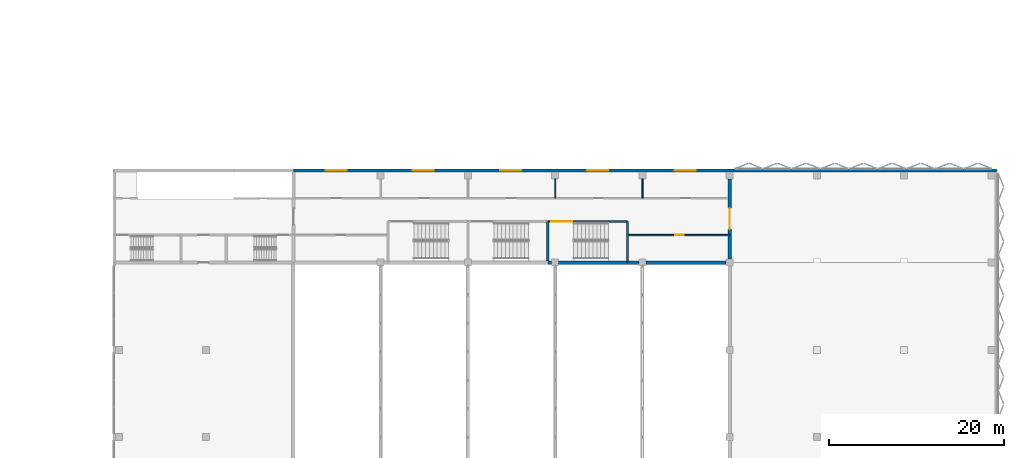
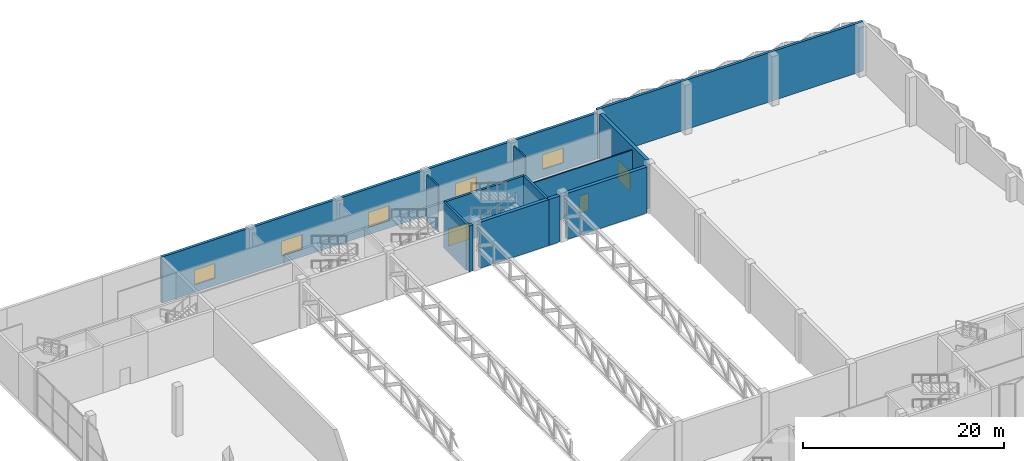
# One storey, part 35 of 51: 13 walls, 5 windows, 3 doors, 8 openings.
"""IFC4 building model written with IfcOpenShell, lengths in metres."""

from ifc_helpers import new_model, si_unit, direction, frame, frame_2d, origin, place, context, subcontext, project, spatial, rectangle, extrude, material, layer, layer_set, type_object, element, fill, save


model = new_model("IFC4")

# Units and contexts
model_context = context("Model", 3, precision=1e-05, world=origin(), true_north=direction((0.0, 1.0)))
body_context = subcontext(model_context, "Body", "Model", "MODEL_VIEW")
ifc_project = project(units=[si_unit("LENGTHUNIT", "METRE"), si_unit("AREAUNIT", "SQUARE_METRE"), si_unit("VOLUMEUNIT", "CUBIC_METRE"), si_unit("PLANEANGLEUNIT", "RADIAN"), si_unit("MASSUNIT", "GRAM", prefix="KILO")], contexts=[model_context])

# Site, building, storey
site_placement = place(None, origin())
site = spatial("IfcSite", under=ifc_project, at=site_placement, CompositionType="ELEMENT")
building_placement = place(site_placement, origin())
building = spatial("IfcBuilding", under=site, at=building_placement, Name="Jabali Bay Hotel Tower and Convention Centre", CompositionType="ELEMENT")
storey_placement = place(building_placement, frame((0.0, 0.0, 9.0)))
storey = spatial("IfcBuildingStorey", under=building, at=storey_placement, Name="L01", CompositionType="ELEMENT", Elevation=9.0)

# Wall
ifc_material_1 = material(Name="Concrete C40", Category="concrete")
ifc_layer_1 = layer(ifc_material_1, 0.300048828125)
ifc_layer_set_1 = layer_set([ifc_layer_1], Name="Concrete C40")
wall_type_1 = type_object("IfcWallType", Name="CC External Wall 300", PredefinedType="SOLIDWALL", material=ifc_layer_set_1)
wall_1_placement = place(storey_placement, frame((220.699951171875, 110.550048828125, 0.0), z_axis=(0.0, 0.0, 1.0), x_axis=(1.0, 0.0, 0.0)))
element("IfcWall", 1, at=wall_1_placement, inside=storey, type_object=wall_type_1, Name="CC plenary stage external wall", PredefinedType="SOLIDWALL", context=body_context, shape_type="SweptSolid", body=[
    extrude(rectangle(XDim=30.550048828125, YDim=0.300048828125, at=frame_2d((15.27490234375, 0.0))), origin(), (0.0, 0.0, 1.0), 6.0),
])

# Wall, openings, windows
wall_2_placement = place(storey_placement, frame((170.699951171875, 110.550048828125, 0.0), z_axis=(0.0, 0.0, 1.0), x_axis=(1.0, 0.0, 0.0)))
wall_2 = element("IfcWall", 2, at=wall_2_placement, inside=storey, type_object=wall_type_1, Name="CC wall 285", PredefinedType="SOLIDWALL", context=body_context, shape_type="SweptSolid", body=[
    extrude(rectangle(XDim=50.0, YDim=0.300048828125, at=frame_2d((25.0, 0.0))), origin(), (0.0, 0.0, 1.0), 5.590087890625),
])
opening_1_placement = place(wall_2_placement, frame((3.699951171875, 0.0, 0.89990234375)))
opening_1 = element("IfcOpeningElement", 3, at=opening_1_placement, cuts=wall_2, Name="Opening CC-W023", PredefinedType="OPENING", context=body_context, shape_type="SweptSolid", body=[
    extrude(rectangle(XDim=2.39990234375, YDim=1.800048828125, at=frame_2d((1.199951171875, 0.89990234375))), frame((0.0, 0.16064453125, 0.0), z_axis=(0.0, -1.0, 0.0), x_axis=(1.0, 0.0, 0.0)), (0.0, 0.0, 1.0), 0.321044921875),
])
opening_2_placement = place(wall_2_placement, frame((13.699951171875, 0.0, 0.89990234375)))
opening_2 = element("IfcOpeningElement", 4, at=opening_2_placement, cuts=wall_2, Name="Opening CC-W024", PredefinedType="OPENING", context=body_context, shape_type="SweptSolid", body=[
    extrude(rectangle(XDim=2.39990234375, YDim=1.800048828125, at=frame_2d((1.199951171875, 0.89990234375))), frame((0.0, 0.16064453125, 0.0), z_axis=(0.0, -1.0, 0.0), x_axis=(1.0, 0.0, 0.0)), (0.0, 0.0, 1.0), 0.321044921875),
])
opening_3_placement = place(wall_2_placement, frame((23.699951171875, 0.0, 0.89990234375)))
opening_3 = element("IfcOpeningElement", 5, at=opening_3_placement, cuts=wall_2, Name="Opening CC-W025", PredefinedType="OPENING", context=body_context, shape_type="SweptSolid", body=[
    extrude(rectangle(XDim=2.39990234375, YDim=1.800048828125, at=frame_2d((1.199951171875, 0.89990234375))), frame((0.0, 0.16064453125, 0.0), z_axis=(0.0, -1.0, 0.0), x_axis=(1.0, 0.0, 0.0)), (0.0, 0.0, 1.0), 0.321044921875),
])
opening_4_placement = place(wall_2_placement, frame((33.699951171875, 0.0, 0.89990234375)))
opening_4 = element("IfcOpeningElement", 6, at=opening_4_placement, cuts=wall_2, Name="Opening CC-W026", PredefinedType="OPENING", context=body_context, shape_type="SweptSolid", body=[
    extrude(rectangle(XDim=2.39990234375, YDim=1.800048828125, at=frame_2d((1.199951171875, 0.89990234375))), frame((0.0, 0.16064453125, 0.0), z_axis=(0.0, -1.0, 0.0), x_axis=(1.0, 0.0, 0.0)), (0.0, 0.0, 1.0), 0.321044921875),
])
opening_5_placement = place(wall_2_placement, frame((43.699951171875, 0.0, 0.89990234375)))
opening_5 = element("IfcOpeningElement", 7, at=opening_5_placement, cuts=wall_2, Name="Opening CC-W027", PredefinedType="OPENING", context=body_context, shape_type="SweptSolid", body=[
    extrude(rectangle(XDim=2.39990234375, YDim=1.800048828125, at=frame_2d((1.199951171875, 0.89990234375))), frame((0.0, 0.16064453125, 0.0), z_axis=(0.0, -1.0, 0.0), x_axis=(1.0, 0.0, 0.0)), (0.0, 0.0, 1.0), 0.321044921875),
])
ifc_material_2 = material(Name="Aluminium 6063-T5 and glass", Category="aluminium")
window_type = type_object("IfcWindowType", Name="CC Window 2400x1800", PartitioningType="DOUBLE_PANEL_VERTICAL", PredefinedType="WINDOW", material=ifc_material_2)
window_1_placement = place(opening_1_placement, origin())
window_1 = element("IfcWindow", 8, at=window_1_placement, inside=storey, type_object=window_type, Name="CC window CC-W023", OverallHeight=1.800048828125, OverallWidth=2.39990234375, PartitioningType="DOUBLE_PANEL_VERTICAL", PredefinedType="WINDOW", context=body_context, shape_type="SweptSolid", body=[
    extrude(rectangle(XDim=2.39990234375, YDim=1.800048828125, at=frame_2d((1.199951171875, 0.89990234375))), frame((0.0, 0.030029296875, 0.0), z_axis=(0.0, -1.0, 0.0), x_axis=(1.0, 0.0, 0.0)), (0.0, 0.0, 1.0), 0.06005859375),
])
fill(opening_1, window_1)
window_2_placement = place(opening_2_placement, origin())
window_2 = element("IfcWindow", 9, at=window_2_placement, inside=storey, type_object=window_type, Name="CC window CC-W024", OverallHeight=1.800048828125, OverallWidth=2.39990234375, PartitioningType="DOUBLE_PANEL_VERTICAL", PredefinedType="WINDOW", context=body_context, shape_type="SweptSolid", body=[
    extrude(rectangle(XDim=2.39990234375, YDim=1.800048828125, at=frame_2d((1.199951171875, 0.89990234375))), frame((0.0, 0.030029296875, 0.0), z_axis=(0.0, -1.0, 0.0), x_axis=(1.0, 0.0, 0.0)), (0.0, 0.0, 1.0), 0.06005859375),
])
fill(opening_2, window_2)
window_3_placement = place(opening_3_placement, origin())
window_3 = element("IfcWindow", 10, at=window_3_placement, inside=storey, type_object=window_type, Name="CC window CC-W025", OverallHeight=1.800048828125, OverallWidth=2.39990234375, PartitioningType="DOUBLE_PANEL_VERTICAL", PredefinedType="WINDOW", context=body_context, shape_type="SweptSolid", body=[
    extrude(rectangle(XDim=2.39990234375, YDim=1.800048828125, at=frame_2d((1.199951171875, 0.89990234375))), frame((0.0, 0.030029296875, 0.0), z_axis=(0.0, -1.0, 0.0), x_axis=(1.0, 0.0, 0.0)), (0.0, 0.0, 1.0), 0.06005859375),
])
fill(opening_3, window_3)
window_4_placement = place(opening_4_placement, origin())
window_4 = element("IfcWindow", 11, at=window_4_placement, inside=storey, type_object=window_type, Name="CC window CC-W026", OverallHeight=1.800048828125, OverallWidth=2.39990234375, PartitioningType="DOUBLE_PANEL_VERTICAL", PredefinedType="WINDOW", context=body_context, shape_type="SweptSolid", body=[
    extrude(rectangle(XDim=2.39990234375, YDim=1.800048828125, at=frame_2d((1.199951171875, 0.89990234375))), frame((0.0, 0.030029296875, 0.0), z_axis=(0.0, -1.0, 0.0), x_axis=(1.0, 0.0, 0.0)), (0.0, 0.0, 1.0), 0.06005859375),
])
fill(opening_4, window_4)
window_5_placement = place(opening_5_placement, origin())
window_5 = element("IfcWindow", 12, at=window_5_placement, inside=storey, type_object=window_type, Name="CC window CC-W027", OverallHeight=1.800048828125, OverallWidth=2.39990234375, PartitioningType="DOUBLE_PANEL_VERTICAL", PredefinedType="WINDOW", context=body_context, shape_type="SweptSolid", body=[
    extrude(rectangle(XDim=2.39990234375, YDim=1.800048828125, at=frame_2d((1.199951171875, 0.89990234375))), frame((0.0, 0.030029296875, 0.0), z_axis=(0.0, -1.0, 0.0), x_axis=(1.0, 0.0, 0.0)), (0.0, 0.0, 1.0), 0.06005859375),
])
fill(opening_5, window_5)

# Walls
ifc_layer_2 = layer(ifc_material_1, 0.39990234375)
ifc_layer_set_2 = layer_set([ifc_layer_2], Name="Concrete C40")
wall_type_2 = type_object("IfcWallType", Name="CC Hall Wall 400", PredefinedType="SHEAR", material=ifc_layer_set_2)
wall_3_placement = place(storey_placement, frame((199.85009765625, 100.0, 0.0), z_axis=(0.0, 0.0, 1.0), x_axis=(1.0, 0.0, 0.0)))
element("IfcWall", 13, at=wall_3_placement, inside=storey, type_object=wall_type_2, Name="CC exhibition hall wall", PredefinedType="SHEAR", context=body_context, shape_type="SweptSolid", body=[
    extrude(rectangle(XDim=0.449951171875, YDim=0.39990234375, at=frame_2d((0.22509765625, 0.0))), origin(), (0.0, 0.0, 1.0), 5.590087890625),
])
wall_4_placement = place(storey_placement, frame((201.10009765625, 100.0, 0.0), z_axis=(0.0, 0.0, 1.0), x_axis=(1.0, 0.0, 0.0)))
element("IfcWall", 14, at=wall_4_placement, inside=storey, type_object=wall_type_2, Name="CC exhibition hall wall", PredefinedType="SHEAR", context=body_context, shape_type="SweptSolid", body=[
    extrude(rectangle(XDim=7.89990234375, YDim=0.39990234375, at=frame_2d((3.949951171875, 0.0))), origin(), (0.0, 0.0, 1.0), 5.590087890625),
])
wall_5_placement = place(storey_placement, frame((209.0, 100.0, 0.0), z_axis=(0.0, 0.0, 1.0), x_axis=(1.0, 0.0, 0.0)))
element("IfcWall", 15, at=wall_5_placement, inside=storey, type_object=wall_type_2, Name="CC exhibition hall wall", PredefinedType="SHEAR", context=body_context, shape_type="SweptSolid", body=[
    extrude(rectangle(XDim=1.300048828125, YDim=0.39990234375, at=frame_2d((0.64990234375, 0.0))), origin(), (0.0, 0.0, 1.0), 5.590087890625),
])
wall_6_placement = place(storey_placement, frame((211.10009765625, 100.0, 0.0), z_axis=(0.0, 0.0, 1.0), x_axis=(1.0, 0.0, 0.0)))
element("IfcWall", 16, at=wall_6_placement, inside=storey, type_object=wall_type_2, Name="CC exhibition hall wall", PredefinedType="SHEAR", context=body_context, shape_type="SweptSolid", body=[
    extrude(rectangle(XDim=9.199951171875, YDim=0.39990234375, at=frame_2d((4.60009765625, 0.0))), origin(), (0.0, 0.0, 1.0), 5.590087890625),
])

# Wall, opening, door
wall_7_placement = place(storey_placement, frame((220.699951171875, 100.39990234375, 0.0), z_axis=(0.0, 0.0, 1.0), x_axis=(0.0, 1.0, 0.0)))
wall_7 = element("IfcWall", 17, at=wall_7_placement, inside=storey, type_object=wall_type_2, Name="CC plenary stage wall", PredefinedType="SHEAR", context=body_context, shape_type="SweptSolid", body=[
    extrude(rectangle(XDim=9.2001953125, YDim=0.39990234375, at=frame_2d((4.60009765625, 0.0))), origin(), (0.0, 0.0, 1.0), 6.0),
])
opening_6_placement = place(wall_7_placement, frame((3.449951171875, 0.0, 0.0)))
opening_6 = element("IfcOpeningElement", 18, at=opening_6_placement, cuts=wall_7, Name="Opening CC-D102", PredefinedType="OPENING", context=body_context, shape_type="SweptSolid", body=[
    extrude(rectangle(XDim=2.39990234375, YDim=2.39990234375, at=frame_2d((1.199951171875, 1.199951171875))), frame((0.0, 0.21044921875, 0.0), z_axis=(0.0, -1.0, 0.0), x_axis=(1.0, 0.0, 0.0)), (0.0, 0.0, 1.0), 0.4208984375),
])
ifc_material_3 = material(Name="Timber and steel door set", Category="steel")
door_type_1 = type_object("IfcDoorType", Name="CC Hall Double Door 2400x2400", OperationType="NOTDEFINED", PredefinedType="DOOR", material=ifc_material_3)
door_1_placement = place(opening_6_placement, origin())
door_1 = element("IfcDoor", 19, at=door_1_placement, inside=storey, type_object=door_type_1, Name="CC door CC-D102", OperationType="DOUBLE_DOOR_SINGLE_SWING", OverallHeight=2.39990234375, OverallWidth=2.39990234375, PredefinedType="DOOR", context=body_context, shape_type="SweptSolid", body=[
    extrude(rectangle(XDim=2.39990234375, YDim=2.39990234375, at=frame_2d((1.199951171875, 1.199951171875))), frame((0.0, 0.02490234375, 0.0), z_axis=(0.0, -1.0, 0.0), x_axis=(1.0, 0.0, 0.0)), (0.0, 0.0, 1.0), 0.050048828125),
])
fill(opening_6, door_1)

ifc_material_4 = material(Name="Blockwork M10", Category="masonry")
ifc_layer_3 = layer(ifc_material_4, 0.14990234375)
ifc_layer_set_3 = layer_set([ifc_layer_3], Name="Blockwork M10")
wall_type_3 = type_object("IfcWallType", Name="CC Partition 150", PredefinedType="PARTITIONING", material=ifc_layer_set_3)
wall_8_placement = place(storey_placement, frame((209.0, 103.14990234375, 0.0), z_axis=(0.0, 0.0, 1.0), x_axis=(1.0, 0.0, 0.0)))
wall_8 = element("IfcWall", 20, at=wall_8_placement, inside=storey, type_object=wall_type_3, Name="CC wall 406", PredefinedType="PARTITIONING", context=body_context, shape_type="SweptSolid", body=[
    extrude(rectangle(XDim=11.699951171875, YDim=0.14990234375, at=frame_2d((5.85009765625, 0.0))), origin(), (0.0, 0.0, 1.0), 5.590087890625),
])
opening_7_placement = place(wall_8_placement, frame((5.449951171875, 0.0, 0.0)))
opening_7 = element("IfcOpeningElement", 21, at=opening_7_placement, cuts=wall_8, Name="Opening CC-D104", PredefinedType="OPENING", context=body_context, shape_type="SweptSolid", body=[
    extrude(rectangle(XDim=1.0, YDim=2.10009765625, at=frame_2d((0.5, 1.050048828125))), frame((0.0, 0.08544921875, 0.0), z_axis=(0.0, -1.0, 0.0), x_axis=(1.0, 0.0, 0.0)), (0.0, 0.0, 1.0), 0.1708984375),
])
door_type_2 = type_object("IfcDoorType", Name="CC Single Door 1000x2100", OperationType="NOTDEFINED", PredefinedType="DOOR", material=ifc_material_3)
door_2_placement = place(opening_7_placement, origin())
door_2 = element("IfcDoor", 22, at=door_2_placement, inside=storey, type_object=door_type_2, Name="CC door CC-D104", OperationType="SINGLE_SWING_RIGHT", OverallHeight=2.10009765625, OverallWidth=1.0, PredefinedType="DOOR", context=body_context, shape_type="SweptSolid", body=[
    extrude(rectangle(XDim=1.0, YDim=2.10009765625, at=frame_2d((0.5, 1.050048828125))), frame((0.0, 0.02490234375, 0.0), z_axis=(0.0, -1.0, 0.0), x_axis=(1.0, 0.0, 0.0)), (0.0, 0.0, 1.0), 0.050048828125),
])
fill(opening_7, door_2)

# Walls
for number, where, z_axis, x_axis, name in (
    (23, (200.699951171875, 107.375, 0.0), (0.0, 0.0, 1.0), (0.0, 1.0, 0.0), "CC wall 410"),
    (24, (210.699951171875, 107.375, 0.0), (0.0, 0.0, 1.0), (0.0, 1.0, 0.0), "CC wall 411"),
):
    element("IfcWall", number, at=place(storey_placement, frame(where, z_axis=z_axis, x_axis=x_axis)), inside=storey, type_object=wall_type_3, Name=name, PredefinedType="PARTITIONING", context=body_context, shape_type="SweptSolid", body=[
        extrude(rectangle(XDim=2.22509765625, YDim=0.14990234375, at=frame_2d((1.112548828125, 0.0))), origin(), (0.0, 0.0, 1.0), 5.590087890625),
    ])
ifc_layer_4 = layer(ifc_material_1, 0.25)
ifc_layer_set_4 = layer_set([ifc_layer_4], Name="Concrete C40")
wall_type_4 = type_object("IfcWallType", Name="CC Shaft Wall 250", PredefinedType="SHEAR", material=ifc_layer_set_4)
wall_9_placement = place(storey_placement, frame((199.85009765625, 100.199951171875, 0.0), z_axis=(0.0, 0.0, 1.0), x_axis=(0.0, 1.0, 0.0)))
element("IfcWall", 25, at=wall_9_placement, inside=storey, type_object=wall_type_4, Name="CC wall 402", PredefinedType="SHEAR", context=body_context, shape_type="SweptSolid", body=[
    extrude(rectangle(XDim=4.525146484375, YDim=0.25, at=frame_2d((2.2626953125, 0.0))), origin(), (0.0, 0.0, 1.0), 5.590087890625),
])

# Wall, opening, door
wall_10_placement = place(storey_placement, frame((199.85009765625, 104.72509765625, 0.0), z_axis=(0.0, 0.0, 1.0), x_axis=(1.0, 0.0, 0.0)))
wall_10 = element("IfcWall", 26, at=wall_10_placement, inside=storey, type_object=wall_type_4, Name="CC wall 403", PredefinedType="SHEAR", context=body_context, shape_type="SweptSolid", body=[
    extrude(rectangle(XDim=9.14990234375, YDim=0.25, at=frame_2d((4.574951171875, 0.0))), origin(), (0.0, 0.0, 1.0), 5.590087890625),
])
opening_8_placement = place(wall_10_placement, frame((0.425048828125, 0.0, 0.0)))
opening_8 = element("IfcOpeningElement", 27, at=opening_8_placement, cuts=wall_10, Name="Opening CC-D240", PredefinedType="OPENING", context=body_context, shape_type="SweptSolid", body=[
    extrude(rectangle(XDim=2.39990234375, YDim=2.10009765625, at=frame_2d((1.199951171875, 1.050048828125))), frame((0.0, 0.135498046875, 0.0), z_axis=(0.0, -1.0, 0.0), x_axis=(1.0, 0.0, 0.0)), (0.0, 0.0, 1.0), 0.27099609375),
])
door_type_3 = type_object("IfcDoorType", Name="CC Stair Door Pair 2400x2100", OperationType="NOTDEFINED", PredefinedType="DOOR", material=ifc_material_3)
door_3_placement = place(opening_8_placement, origin())
door_3 = element("IfcDoor", 28, at=door_3_placement, inside=storey, type_object=door_type_3, Name="CC door CC-D240", OperationType="DOUBLE_DOOR_SINGLE_SWING", OverallHeight=2.10009765625, OverallWidth=2.39990234375, PredefinedType="DOOR", context=body_context, shape_type="SweptSolid", body=[
    extrude(rectangle(XDim=2.39990234375, YDim=2.10009765625, at=frame_2d((1.199951171875, 1.050048828125))), frame((0.0, 0.02490234375, 0.0), z_axis=(0.0, -1.0, 0.0), x_axis=(1.0, 0.0, 0.0)), (0.0, 0.0, 1.0), 0.050048828125),
])
fill(opening_8, door_3)

# Wall
wall_11_placement = place(storey_placement, frame((209.0, 100.0, 0.0), z_axis=(0.0, 0.0, 1.0), x_axis=(0.0, 1.0, 0.0)))
element("IfcWall", 29, at=wall_11_placement, inside=storey, type_object=wall_type_4, Name="CC wall 404", PredefinedType="SHEAR", context=body_context, shape_type="SweptSolid", body=[
    extrude(rectangle(XDim=4.72509765625, YDim=0.25, at=frame_2d((2.362548828125, 0.0))), origin(), (0.0, 0.0, 1.0), 5.590087890625),
])

save(model, "model.ifc")
